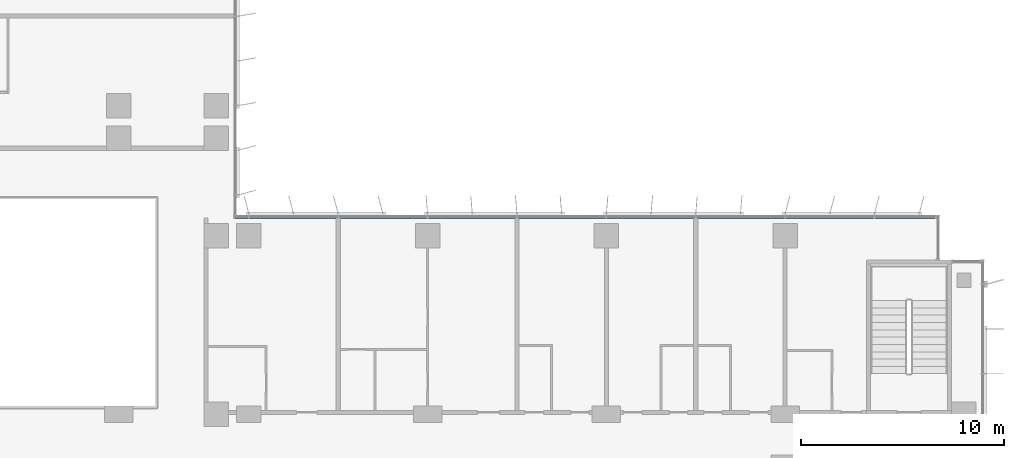
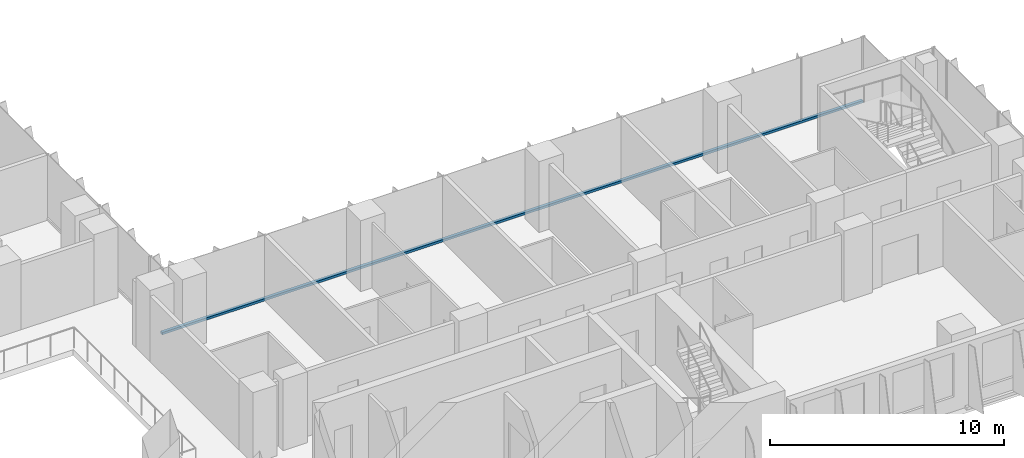
# One storey, part 3 of 22: 1 member, 1 element without a shape of its own.
"""IFC4 building model written with IfcOpenShell, lengths in metres."""

from ifc_helpers import new_model, si_unit, direction, frame, origin, origin_2d, place, context, subcontext, project, spatial, rectangle, extrude, material, material_profile, profile_set, type_object, element, aggregate, save


model = new_model("IFC4")

# Units and contexts
model_context = context("Model", 3, precision=1e-05, world=origin(), true_north=direction((0.0, 1.0)))
body_context = subcontext(model_context, "Body", "Model", "MODEL_VIEW")
ifc_project = project(units=[si_unit("LENGTHUNIT", "METRE"), si_unit("AREAUNIT", "SQUARE_METRE"), si_unit("VOLUMEUNIT", "CUBIC_METRE"), si_unit("PLANEANGLEUNIT", "RADIAN"), si_unit("MASSUNIT", "GRAM", prefix="KILO")], contexts=[model_context])

# Site, building, storey
site_placement = place(None, origin())
site = spatial("IfcSite", under=ifc_project, at=site_placement, CompositionType="ELEMENT")
building_placement = place(site_placement, origin())
building = spatial("IfcBuilding", under=site, at=building_placement, Name="Kemantara Hotel Tower", CompositionType="ELEMENT")
storey_placement = place(building_placement, frame((0.0, 0.0, 145.699951171875)))
storey = spatial("IfcBuildingStorey", under=building, at=storey_placement, Name="L35", CompositionType="ELEMENT", Elevation=145.699951171875)

# Curtain wall, member
ifc_material_1 = material(Name="Low-E tinted double insulated glass 36 mm", Category="glass")
curtain_wall_type = type_object("IfcCurtainWallType", Name="TOWER CURTAIN WALL, FRONT FACES", PredefinedType="USERDEFINED", material=ifc_material_1)
curtain_wall_placement = place(storey_placement, origin())
curtain_wall = element("IfcCurtainWall", 1, at=curtain_wall_placement, inside=storey, type_object=curtain_wall_type, Name="CW4 L35 T2-R13-1", ObjectType="TOWER CURTAIN WALL, FRONT FACES", PredefinedType="USERDEFINED")
ifc_material_2 = material(Name="Aluminium 6063-T6 bronze anodised", Category="aluminium")
ifc_material_profile = material_profile(ifc_material_2, rectangle(XDim=0.14990234375, YDim=0.1201171875, at=origin_2d()), Name="TOWER CURTAIN WALL, FRONT FACES TRANSOM")
ifc_profile_set = profile_set([ifc_material_profile], Name="Aluminium 6063-T6 bronze anodised")
member_type = type_object("IfcMemberType", Name="TOWER CURTAIN WALL, FRONT FACES TRANSOM", PredefinedType="USERDEFINED", material=ifc_profile_set)
member_placement = place(storey_placement, frame((61.25, 21.925048828125, 0.06005859375), z_axis=(-1.0, 0.0, 0.0), x_axis=(0.0, -1.0, 0.0)))
member = element("IfcMember", 2, at=member_placement, type_object=member_type, Name="CW4 sill transom T2-R13-1", ObjectType="TRANSOM", PredefinedType="USERDEFINED", context=body_context, shape_type="SweptSolid", body=[
    extrude(rectangle(XDim=0.14990234375, YDim=0.1201171875, at=origin_2d()), origin(), (0.0, 0.0, 1.0), 34.60009765625),
])
aggregate(curtain_wall, [member])

save(model, "model.ifc")
